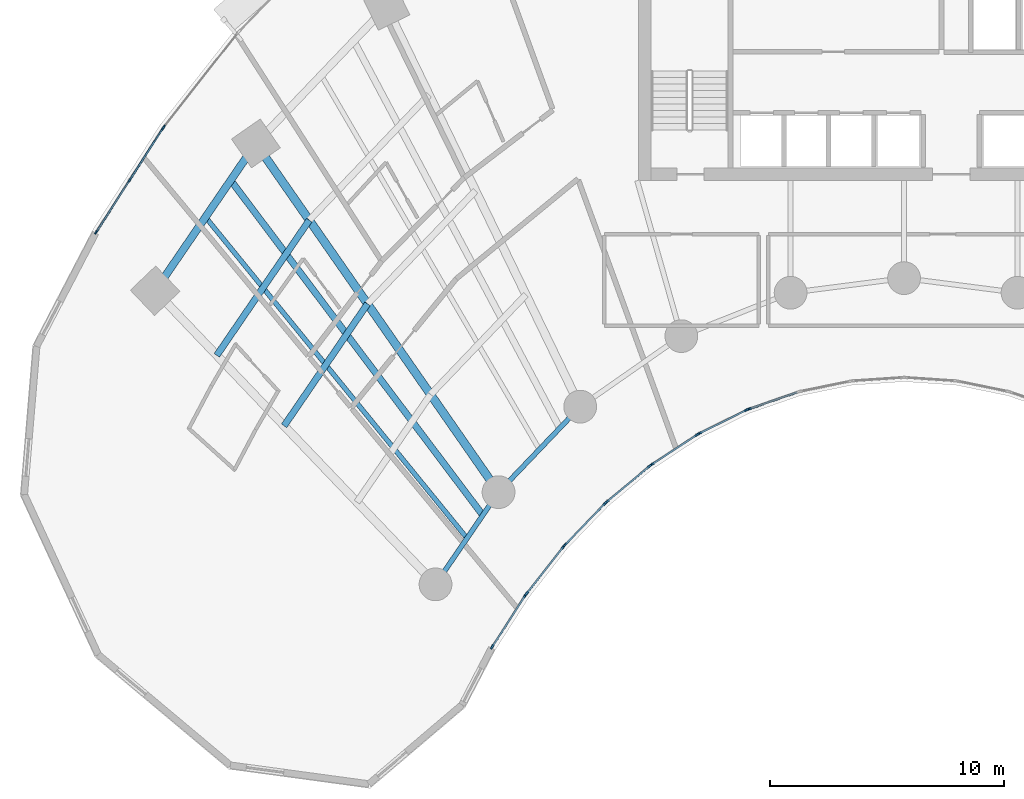
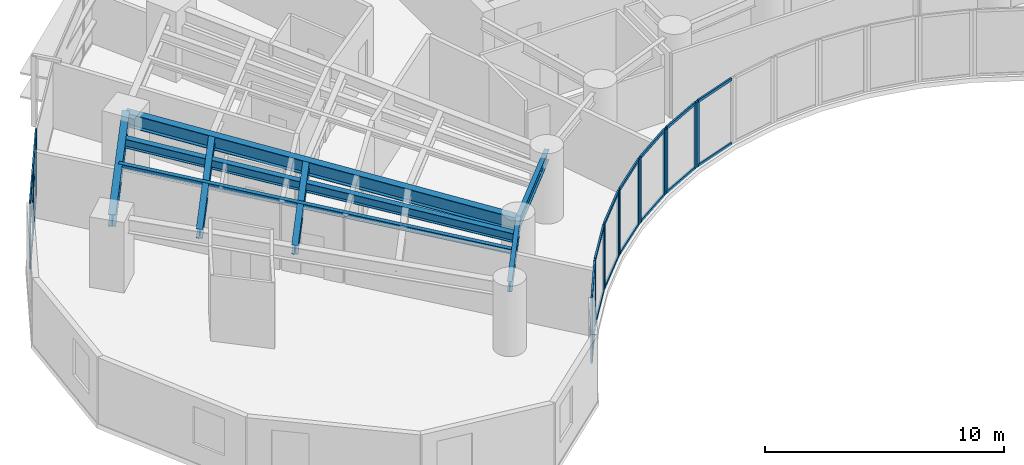
# One storey, part 2 of 17: 37 members, 8 beams, 9 elements without a shape of their own.
"""IFC4 building model written with IfcOpenShell, lengths in metres."""

from ifc_helpers import new_model, si_unit, direction, frame, origin, origin_2d, place, context, subcontext, project, spatial, rectangle, i_section, extrude, source, transform, mapped, material, layer, layer_set, material_profile, profile_set, type_object, type_shapes, element, aggregate, save


model = new_model("IFC4")

# Units and contexts
model_context = context("Model", 3, precision=1e-05, world=origin(), true_north=direction((0.0, 1.0)))
body_context = subcontext(model_context, "Body", "Model", "MODEL_VIEW")
ifc_project = project(units=[si_unit("LENGTHUNIT", "METRE"), si_unit("AREAUNIT", "SQUARE_METRE"), si_unit("VOLUMEUNIT", "CUBIC_METRE"), si_unit("PLANEANGLEUNIT", "RADIAN"), si_unit("MASSUNIT", "GRAM", prefix="KILO")], contexts=[model_context])

# Site, building, storey
site_placement = place(None, origin())
site = spatial("IfcSite", under=ifc_project, at=site_placement, CompositionType="ELEMENT")
building_placement = place(site_placement, origin())
building = spatial("IfcBuilding", under=site, at=building_placement, Name="Breltana Convention Tower", CompositionType="ELEMENT")
storey_placement = place(building_placement, frame((0.0, 0.0, 67.800048828125)))
storey = spatial("IfcBuildingStorey", under=building, at=storey_placement, Name="L15", CompositionType="ELEMENT", Elevation=67.800048828125)

# Beams
ifc_material_1 = material(Name="Steel ASTM A992 Grade 50", Category="steel")
ifc_material_profile_1 = material_profile(ifc_material_1, i_section(OverallWidth=0.323974609375, OverallDepth=0.611083984375, WebThickness=0.0126953125, FlangeThickness=0.01904296875, at=origin_2d()), Name="W24X104")
ifc_profile_set_1 = profile_set([ifc_material_profile_1], Name="Steel ASTM A992 Grade 50")
beam_type_1 = type_object("IfcBeamType", Name="BM-SP-W24X104", PredefinedType="SPANDREL", material=ifc_profile_set_1)
shared_shape_1 = source(origin(), body_context, "Body", "SweptSolid", [
    extrude(i_section(OverallWidth=0.323974609375, OverallDepth=0.611083984375, WebThickness=0.0126953125, FlangeThickness=0.01904296875, at=origin_2d()), origin(), (0.0, 0.0, 1.0), 7.625),
])
type_shapes(beam_type_1, [shared_shape_1])
beam_1_placement = place(storey_placement, frame((16.0068359375, 55.494384765625, 3.054443359375), z_axis=(0.564452031902, 0.825465870694, 0.0), x_axis=(-0.825465870694, 0.564452031902, 0.0)))
element("IfcBeam", 1, at=beam_1_placement, inside=storey, type_object=beam_type_1, Name="L15 Outer Spandrel Beam 01", PredefinedType="SPANDREL", context=body_context, shape_type="MappedRepresentation", body=[
    mapped(shared_shape_1, transform((0.0, 0.0, 0.0), scale=1.0)),
])
ifc_material_profile_2 = material_profile(ifc_material_1, i_section(OverallWidth=0.35498046875, OverallDepth=0.696044921875, WebThickness=0.015380859375, FlangeThickness=0.02490234375, at=origin_2d()), Name="W27X146")
ifc_profile_set_2 = profile_set([ifc_material_profile_2], Name="Steel ASTM A992 Grade 50")
beam_type_2 = type_object("IfcBeamType", Name="BM-RG-W27X146", PredefinedType="USERDEFINED", material=ifc_profile_set_2)
shared_shape_2 = source(origin(), body_context, "Body", "SweptSolid", [
    extrude(i_section(OverallWidth=0.35498046875, OverallDepth=0.696044921875, WebThickness=0.015380859375, FlangeThickness=0.02490234375, at=origin_2d()), origin(), (0.0, 0.0, 1.0), 18.1484375),
])
beam_2_placement = place(storey_placement, frame((30.67724609375, 46.892333984375, 3.011962890625), z_axis=(-0.571207556098, 0.820805657788, 0.0), x_axis=(-0.820805657788, -0.571207556098, 0.0)))
element("IfcBeam", 2, at=beam_2_placement, inside=storey, type_object=beam_type_2, Name="L15 Radial Floor Girder R02", ObjectType="GIRDER", PredefinedType="USERDEFINED", context=body_context, shape_type="MappedRepresentation", body=[
    mapped(shared_shape_2, transform((0.0, 0.0, 0.0), scale=1.0)),
])
ifc_material_profile_3 = material_profile(ifc_material_1, i_section(OverallWidth=0.2099609375, OverallDepth=0.537109375, WebThickness=0.010986328125, FlangeThickness=0.017333984375, at=origin_2d()), Name="W21X68")
ifc_profile_set_3 = profile_set([ifc_material_profile_3], Name="Steel ASTM A992 Grade 50")
beam_type_3 = type_object("IfcBeamType", Name="BM-BM-W21X68", PredefinedType="BEAM", material=ifc_profile_set_3)
shared_shape_3 = source(origin(), body_context, "Body", "SweptSolid", [
    extrude(i_section(OverallWidth=0.2099609375, OverallDepth=0.537109375, WebThickness=0.010986328125, FlangeThickness=0.017333984375, at=origin_2d()), origin(), (0.0, 0.0, 1.0), 4.770263671875),
])
beam_3_placement = place(storey_placement, frame((27.984619140625, 42.95458984375, 3.091552734375), z_axis=(0.564452719055, 0.82546540082, 0.0), x_axis=(-0.82546540082, 0.564452719055, 0.0)))
element("IfcBeam", 3, at=beam_3_placement, inside=storey, type_object=beam_type_3, Name="L15 Inner Ring Beam 01", PredefinedType="BEAM", context=body_context, shape_type="MappedRepresentation", body=[
    mapped(shared_shape_3, transform((0.0, 0.0, 0.0), scale=1.0)),
])
shared_shape_4 = source(origin(), body_context, "Body", "SweptSolid", [
    extrude(i_section(OverallWidth=0.2099609375, OverallDepth=0.537109375, WebThickness=0.010986328125, FlangeThickness=0.017333984375, at=origin_2d()), origin(), (0.0, 0.0, 1.0), 5.05126953125),
])
beam_4_placement = place(storey_placement, frame((30.67724609375, 46.892333984375, 3.091552734375), z_axis=(0.690729753845, 0.7231129975, 0.0), x_axis=(-0.7231129975, 0.690729753845, 0.0)))
element("IfcBeam", 4, at=beam_4_placement, inside=storey, type_object=beam_type_3, Name="L15 Inner Ring Beam 02", PredefinedType="BEAM", context=body_context, shape_type="MappedRepresentation", body=[
    mapped(shared_shape_4, transform((0.0, 0.0, 0.0), scale=1.0)),
])
ifc_material_profile_4 = material_profile(ifc_material_1, i_section(OverallWidth=0.280029296875, OverallDepth=0.462890625, WebThickness=0.0107421875, FlangeThickness=0.017333984375, at=origin_2d()), Name="W18X76")
ifc_profile_set_4 = profile_set([ifc_material_profile_4], Name="Steel ASTM A992 Grade 50")
beam_type_4 = type_object("IfcBeamType", Name="BM-JSG-06", PredefinedType="JOIST", material=ifc_profile_set_4)
shared_shape_5 = source(origin(), body_context, "Body", "SweptSolid", [
    extrude(i_section(OverallWidth=0.280029296875, OverallDepth=0.462890625, WebThickness=0.0107421875, FlangeThickness=0.017333984375, at=origin_2d()), origin(), (0.0, 0.0, 1.0), 6.311767578125),
])
beam_5_placement = place(storey_placement, frame((21.5166015625, 49.72607421875, 3.12841796875), z_axis=(0.564453712577, 0.825464721449, 0.0), x_axis=(-0.825464721449, 0.564453712577, 0.0)))
element("IfcBeam", 5, at=beam_5_placement, inside=storey, type_object=beam_type_4, Name="L15 Composite Floor Joist 01.2", PredefinedType="JOIST", context=body_context, shape_type="MappedRepresentation", body=[
    mapped(shared_shape_5, transform((0.0, 0.0, 0.0), scale=1.0)),
])
shared_shape_6 = source(origin(), body_context, "Body", "SweptSolid", [
    extrude(i_section(OverallWidth=0.280029296875, OverallDepth=0.462890625, WebThickness=0.0107421875, FlangeThickness=0.017333984375, at=origin_2d()), origin(), (0.0, 0.0, 1.0), 6.997314453125),
])
beam_6_placement = place(storey_placement, frame((18.641845703125, 52.735595703125, 3.12841796875), z_axis=(0.564468756361, 0.825454434292, 0.0), x_axis=(-0.825454434292, 0.564468756361, 0.0)))
element("IfcBeam", 6, at=beam_6_placement, inside=storey, type_object=beam_type_4, Name="L15 Composite Floor Joist 01.3", PredefinedType="JOIST", context=body_context, shape_type="MappedRepresentation", body=[
    mapped(shared_shape_6, transform((0.0, 0.0, 0.0), scale=1.0)),
])
ifc_material_profile_5 = material_profile(ifc_material_1, i_section(OverallWidth=0.201904296875, OverallDepth=0.2470703125, WebThickness=0.00732421875, FlangeThickness=0.010986328125, at=origin_2d()), Name="W10X33")
ifc_profile_set_5 = profile_set([ifc_material_profile_5], Name="Steel ASTM A992 Grade 50")
beam_type_5 = type_object("IfcBeamType", Name="BM-JSG-11", PredefinedType="JOIST", material=ifc_profile_set_5)
shared_shape_7 = source(origin(), body_context, "Body", "SweptSolid", [
    extrude(i_section(OverallWidth=0.201904296875, OverallDepth=0.2470703125, WebThickness=0.00732421875, FlangeThickness=0.010986328125, at=origin_2d()), origin(), (0.0, 0.0, 1.0), 17.691650390625),
])
type_shapes(beam_type_5, [shared_shape_7])
beam_7_placement = place(storey_placement, frame((29.330810546875, 44.923583984375, 3.236572265625), z_axis=(-0.631476958478, 0.775394642044, 0.0), x_axis=(-0.775394642044, -0.631476958478, 0.0)))
element("IfcBeam", 7, at=beam_7_placement, inside=storey, type_object=beam_type_5, Name="L15 Mid-Bay Radial Trimmer 01", PredefinedType="JOIST", context=body_context, shape_type="MappedRepresentation", body=[
    mapped(shared_shape_7, transform((0.0, 0.0, 0.0), scale=1.0)),
])
shared_shape_8 = source(origin(), body_context, "Body", "SweptSolid", [
    extrude(i_section(OverallWidth=0.280029296875, OverallDepth=0.462890625, WebThickness=0.0107421875, FlangeThickness=0.017333984375, at=origin_2d()), origin(), (0.0, 0.0, 1.0), 17.9072265625),
])
beam_8_placement = place(storey_placement, frame((30.00390625, 45.907958984375, 3.12841796875), z_axis=(-0.601382105028, 0.798961553363, 0.0), x_axis=(-0.798961553363, -0.601382105028, 0.0)))
element("IfcBeam", 8, at=beam_8_placement, inside=storey, type_object=beam_type_4, Name="L15 Quarter-Bay Radial Trimmer 01", PredefinedType="JOIST", context=body_context, shape_type="MappedRepresentation", body=[
    mapped(shared_shape_8, transform((0.0, 0.0, 0.0), scale=1.0)),
])

# Curtain wall, members
ifc_material_2 = material(Name="Aluminium Anodised Bronze Frame", Category="aluminium")
ifc_layer_1 = layer(ifc_material_2, 0.18994140625, Name="Aluminium Anodised Bronze Frame")
ifc_layer_set_1 = layer_set([ifc_layer_1], Name="Aluminium Anodised Bronze Frame")
curtain_wall_type_1 = type_object("IfcCurtainWallType", Name="CW-SYS-1", PredefinedType="NOTDEFINED", material=ifc_layer_set_1)
curtain_wall_1_placement = place(storey_placement, origin())
curtain_wall_1 = element("IfcCurtainWall", 9, at=curtain_wall_1_placement, inside=storey, type_object=curtain_wall_type_1, Name="L15 inner south-court glazing 16", PredefinedType="NOTDEFINED")
ifc_material_3 = material(Name="Aluminium Anodised Bronze", Category="aluminium")
ifc_material_profile_6 = material_profile(ifc_material_3, rectangle(XDim=0.080078125, YDim=0.139892578125, at=origin_2d()), Name="CWT-80X140")
ifc_profile_set_6 = profile_set([ifc_material_profile_6], Name="Aluminium Anodised Bronze")
member_type_1 = type_object("IfcMemberType", Name="CWT-140", PredefinedType="USERDEFINED", material=ifc_profile_set_6)
shared_shape_9 = source(origin(), body_context, "Body", "SweptSolid", [
    extrude(rectangle(XDim=0.080078125, YDim=0.139892578125, at=origin_2d()), origin(), (0.0, 0.0, 1.0), 2.38720703125),
])
type_shapes(member_type_1, [shared_shape_9])
member_1_placement = place(storey_placement, frame((35.2021484375, 46.385009765625, 0.0400390625), z_axis=(-0.694623715393, -0.719373264734, 0.0), x_axis=(0.719373264734, -0.694623715393, 0.0)))
member_1 = element("IfcMember", 10, at=member_1_placement, type_object=member_type_1, Name="CW-01 transom 1.1", ObjectType="TRANSOM", PredefinedType="USERDEFINED", context=body_context, shape_type="MappedRepresentation", body=[
    mapped(shared_shape_9, transform((0.0, 0.0, 0.0), scale=1.0)),
])
member_2_placement = place(storey_placement, frame((35.2021484375, 46.385009765625, 3.320068359375), z_axis=(-0.694623715393, -0.719373264734, 0.0), x_axis=(0.719373264734, -0.694623715393, 0.0)))
member_2 = element("IfcMember", 11, at=member_2_placement, type_object=member_type_1, Name="CW-01 transom 1.2", ObjectType="TRANSOM", PredefinedType="USERDEFINED", context=body_context, shape_type="MappedRepresentation", body=[
    mapped(shared_shape_9, transform((0.0, 0.0, 0.0), scale=1.0)),
])

curtain_wall_2_placement = place(storey_placement, origin())
curtain_wall_2 = element("IfcCurtainWall", 12, at=curtain_wall_2_placement, inside=storey, type_object=curtain_wall_type_1, Name="L15 inner south-court glazing 15", PredefinedType="NOTDEFINED")
shared_shape_10 = source(origin(), body_context, "Body", "SweptSolid", [
    extrude(rectangle(XDim=0.080078125, YDim=0.139892578125, at=origin_2d()), origin(), (0.0, 0.0, 1.0), 2.312255859375),
])
member_3_placement = place(storey_placement, frame((37.10888671875, 47.988037109375, 0.0400390625), z_axis=(-0.767900974507, -0.640568570374, 0.0), x_axis=(0.640568570374, -0.767900974507, 0.0)))
member_3 = element("IfcMember", 13, at=member_3_placement, type_object=member_type_1, Name="CW-01 transom 1.1", ObjectType="TRANSOM", PredefinedType="USERDEFINED", context=body_context, shape_type="MappedRepresentation", body=[
    mapped(shared_shape_10, transform((0.0, 0.0, 0.0), scale=1.0)),
])
member_4_placement = place(storey_placement, frame((37.10888671875, 47.988037109375, 3.320068359375), z_axis=(-0.767900974507, -0.640568570374, 0.0), x_axis=(0.640568570374, -0.767900974507, 0.0)))
member_4 = element("IfcMember", 14, at=member_4_placement, type_object=member_type_1, Name="CW-01 transom 1.2", ObjectType="TRANSOM", PredefinedType="USERDEFINED", context=body_context, shape_type="MappedRepresentation", body=[
    mapped(shared_shape_10, transform((0.0, 0.0, 0.0), scale=1.0)),
])

curtain_wall_3_placement = place(storey_placement, origin())
curtain_wall_3 = element("IfcCurtainWall", 15, at=curtain_wall_3_placement, inside=storey, type_object=curtain_wall_type_1, Name="L15 inner south-court glazing 14", PredefinedType="NOTDEFINED")
shared_shape_11 = source(origin(), body_context, "Body", "SweptSolid", [
    extrude(rectangle(XDim=0.080078125, YDim=0.139892578125, at=origin_2d()), origin(), (0.0, 0.0, 1.0), 2.2421875),
])
member_5_placement = place(storey_placement, frame((39.128173828125, 49.325927734375, 0.0400390625), z_axis=(-0.835982353773, -0.548756324957, 0.0), x_axis=(0.548756324957, -0.835982353773, 0.0)))
member_5 = element("IfcMember", 16, at=member_5_placement, type_object=member_type_1, Name="CW-01 transom 1.1", ObjectType="TRANSOM", PredefinedType="USERDEFINED", context=body_context, shape_type="MappedRepresentation", body=[
    mapped(shared_shape_11, transform((0.0, 0.0, 0.0), scale=1.0)),
])
member_6_placement = place(storey_placement, frame((39.128173828125, 49.325927734375, 3.320068359375), z_axis=(-0.835982353773, -0.548756324957, 0.0), x_axis=(0.548756324957, -0.835982353773, 0.0)))
member_6 = element("IfcMember", 17, at=member_6_placement, type_object=member_type_1, Name="CW-01 transom 1.2", ObjectType="TRANSOM", PredefinedType="USERDEFINED", context=body_context, shape_type="MappedRepresentation", body=[
    mapped(shared_shape_11, transform((0.0, 0.0, 0.0), scale=1.0)),
])

curtain_wall_4_placement = place(storey_placement, origin())
curtain_wall_4 = element("IfcCurtainWall", 18, at=curtain_wall_4_placement, inside=storey, type_object=curtain_wall_type_1, Name="L15 inner south-court glazing 13", PredefinedType="NOTDEFINED")
shared_shape_12 = source(origin(), body_context, "Body", "SweptSolid", [
    extrude(rectangle(XDim=0.080078125, YDim=0.139892578125, at=origin_2d()), origin(), (0.0, 0.0, 1.0), 2.180908203125),
])
member_7_placement = place(storey_placement, frame((41.239501953125, 50.384765625, 0.0400390625), z_axis=(-0.895922266369, -0.444210865045, 0.0), x_axis=(0.444210865045, -0.895922266369, 0.0)))
member_7 = element("IfcMember", 19, at=member_7_placement, type_object=member_type_1, Name="CW-01 transom 1.1", ObjectType="TRANSOM", PredefinedType="USERDEFINED", context=body_context, shape_type="MappedRepresentation", body=[
    mapped(shared_shape_12, transform((0.0, 0.0, 0.0), scale=1.0)),
])
member_8_placement = place(storey_placement, frame((41.239501953125, 50.384765625, 3.320068359375), z_axis=(-0.895922266369, -0.444210865045, 0.0), x_axis=(0.444210865045, -0.895922266369, 0.0)))
member_8 = element("IfcMember", 20, at=member_8_placement, type_object=member_type_1, Name="CW-01 transom 1.2", ObjectType="TRANSOM", PredefinedType="USERDEFINED", context=body_context, shape_type="MappedRepresentation", body=[
    mapped(shared_shape_12, transform((0.0, 0.0, 0.0), scale=1.0)),
])

curtain_wall_5_placement = place(storey_placement, origin())
curtain_wall_5 = element("IfcCurtainWall", 21, at=curtain_wall_5_placement, inside=storey, type_object=curtain_wall_type_1, Name="L15 inner south-court glazing 17", PredefinedType="NOTDEFINED")
shared_shape_13 = source(origin(), body_context, "Body", "SweptSolid", [
    extrude(rectangle(XDim=0.080078125, YDim=0.139892578125, at=origin_2d()), origin(), (0.0, 0.0, 1.0), 2.4638671875),
])
member_9_placement = place(storey_placement, frame((33.427001953125, 44.533447265625, 0.0400390625), z_axis=(-0.618184689608, -0.786032880695, 0.0), x_axis=(0.786032880695, -0.618184689608, 0.0)))
member_9 = element("IfcMember", 22, at=member_9_placement, type_object=member_type_1, Name="CW-01 transom 1.1", ObjectType="TRANSOM", PredefinedType="USERDEFINED", context=body_context, shape_type="MappedRepresentation", body=[
    mapped(shared_shape_13, transform((0.0, 0.0, 0.0), scale=1.0)),
])
member_10_placement = place(storey_placement, frame((33.427001953125, 44.533447265625, 3.320068359375), z_axis=(-0.618184689608, -0.786032880695, 0.0), x_axis=(0.786032880695, -0.618184689608, 0.0)))
member_10 = element("IfcMember", 23, at=member_10_placement, type_object=member_type_1, Name="CW-01 transom 1.2", ObjectType="TRANSOM", PredefinedType="USERDEFINED", context=body_context, shape_type="MappedRepresentation", body=[
    mapped(shared_shape_13, transform((0.0, 0.0, 0.0), scale=1.0)),
])

curtain_wall_6_placement = place(storey_placement, origin())
curtain_wall_6 = element("IfcCurtainWall", 24, at=curtain_wall_6_placement, inside=storey, type_object=curtain_wall_type_1, Name="L15 inner south-court glazing 18", PredefinedType="NOTDEFINED")
shared_shape_14 = source(origin(), body_context, "Body", "SweptSolid", [
    extrude(rectangle(XDim=0.080078125, YDim=0.139892578125, at=origin_2d()), origin(), (0.0, 0.0, 1.0), 2.53955078125),
])
member_11_placement = place(storey_placement, frame((31.801025390625, 42.452392578125, 0.0400390625), z_axis=(-0.540174413174, -0.841553090038, 0.0), x_axis=(0.841553090038, -0.540174413174, 0.0)))
member_11 = element("IfcMember", 25, at=member_11_placement, type_object=member_type_1, Name="CW-01 transom 1.1", ObjectType="TRANSOM", PredefinedType="USERDEFINED", context=body_context, shape_type="MappedRepresentation", body=[
    mapped(shared_shape_14, transform((0.0, 0.0, 0.0), scale=1.0)),
])
member_12_placement = place(storey_placement, frame((31.801025390625, 42.452392578125, 3.320068359375), z_axis=(-0.540174413174, -0.841553090038, 0.0), x_axis=(0.841553090038, -0.540174413174, 0.0)))
member_12 = element("IfcMember", 26, at=member_12_placement, type_object=member_type_1, Name="CW-01 transom 1.2", ObjectType="TRANSOM", PredefinedType="USERDEFINED", context=body_context, shape_type="MappedRepresentation", body=[
    mapped(shared_shape_14, transform((0.0, 0.0, 0.0), scale=1.0)),
])

curtain_wall_7_placement = place(storey_placement, origin())
curtain_wall_7 = element("IfcCurtainWall", 27, at=curtain_wall_7_placement, inside=storey, type_object=curtain_wall_type_1, Name="L15 inner south-court glazing 12", PredefinedType="NOTDEFINED")
shared_shape_15 = source(origin(), body_context, "Body", "SweptSolid", [
    extrude(rectangle(XDim=0.080078125, YDim=0.139892578125, at=origin_2d()), origin(), (0.0, 0.0, 1.0), 2.131103515625),
])
member_13_placement = place(storey_placement, frame((43.421630859375, 51.153076171875, 0.0400390625), z_axis=(-0.944847069856, -0.327511854112, 0.0), x_axis=(0.327511854112, -0.944847069856, 0.0)))
member_13 = element("IfcMember", 28, at=member_13_placement, type_object=member_type_1, Name="CW-01 transom 1.1", ObjectType="TRANSOM", PredefinedType="USERDEFINED", context=body_context, shape_type="MappedRepresentation", body=[
    mapped(shared_shape_15, transform((0.0, 0.0, 0.0), scale=1.0)),
])
member_14_placement = place(storey_placement, frame((43.421630859375, 51.153076171875, 3.320068359375), z_axis=(-0.944847069856, -0.327511854112, 0.0), x_axis=(0.327511854112, -0.944847069856, 0.0)))
member_14 = element("IfcMember", 29, at=member_14_placement, type_object=member_type_1, Name="CW-01 transom 1.2", ObjectType="TRANSOM", PredefinedType="USERDEFINED", context=body_context, shape_type="MappedRepresentation", body=[
    mapped(shared_shape_15, transform((0.0, 0.0, 0.0), scale=1.0)),
])

ifc_layer_2 = layer(ifc_material_2, 0.199951171875, Name="Aluminium Anodised Bronze Frame")
ifc_layer_set_2 = layer_set([ifc_layer_2], Name="Aluminium Anodised Bronze Frame")
curtain_wall_type_2 = type_object("IfcCurtainWallType", Name="CW-SYS-2", PredefinedType="NOTDEFINED", material=ifc_layer_set_2)
curtain_wall_8_placement = place(storey_placement, origin())
curtain_wall_8 = element("IfcCurtainWall", 30, at=curtain_wall_8_placement, inside=storey, type_object=curtain_wall_type_2, Name="L15 outer double-skin inner glazing 1", PredefinedType="NOTDEFINED")
ifc_material_profile_7 = material_profile(ifc_material_3, rectangle(XDim=0.070068359375, YDim=0.1201171875, at=origin_2d()), Name="CWT-70X120")
ifc_profile_set_7 = profile_set([ifc_material_profile_7], Name="Aluminium Anodised Bronze")
member_type_2 = type_object("IfcMemberType", Name="CWT-120", PredefinedType="USERDEFINED", material=ifc_profile_set_7)
shared_shape_16 = source(origin(), body_context, "Body", "SweptSolid", [
    extrude(rectangle(XDim=0.070068359375, YDim=0.1201171875, at=origin_2d()), origin(), (0.0, 0.0, 1.0), 2.56787109375),
])
type_shapes(member_type_2, [shared_shape_16])
member_15_placement = place(storey_placement, frame((13.505859375, 58.0234375, 0.034912109375), z_axis=(0.54022409371, 0.841521199124, 0.0), x_axis=(-0.841521199124, 0.54022409371, 0.0)))
member_15 = element("IfcMember", 31, at=member_15_placement, type_object=member_type_2, Name="CW-02 transom 1.1", ObjectType="TRANSOM", PredefinedType="USERDEFINED", context=body_context, shape_type="MappedRepresentation", body=[
    mapped(shared_shape_16, transform((0.0, 0.0, 0.0), scale=1.0)),
])
member_16_placement = place(storey_placement, frame((13.505859375, 58.0234375, 2.183837890625), z_axis=(0.54022409371, 0.841521199124, 0.0), x_axis=(-0.841521199124, 0.54022409371, 0.0)))
member_16 = element("IfcMember", 32, at=member_16_placement, type_object=member_type_2, Name="CW-02 transom 1.2", ObjectType="TRANSOM", PredefinedType="USERDEFINED", context=body_context, shape_type="MappedRepresentation", body=[
    mapped(shared_shape_16, transform((0.0, 0.0, 0.0), scale=1.0)),
])
member_17_placement = place(storey_placement, frame((13.505859375, 58.0234375, 3.324951171875), z_axis=(0.54022409371, 0.841521199124, 0.0), x_axis=(-0.841521199124, 0.54022409371, 0.0)))
member_17 = element("IfcMember", 33, at=member_17_placement, type_object=member_type_2, Name="CW-02 transom 1.3", ObjectType="TRANSOM", PredefinedType="USERDEFINED", context=body_context, shape_type="MappedRepresentation", body=[
    mapped(shared_shape_16, transform((0.0, 0.0, 0.0), scale=1.0)),
])
member_18_placement = place(storey_placement, frame((14.930908203125, 60.2431640625, 0.034912109375), z_axis=(0.540113540427, 0.841592159806, 0.0), x_axis=(-0.841592159806, 0.540113540427, 0.0)))
member_18 = element("IfcMember", 34, at=member_18_placement, type_object=member_type_2, Name="CW-02 transom 2.1", ObjectType="TRANSOM", PredefinedType="USERDEFINED", context=body_context, shape_type="MappedRepresentation", body=[
    mapped(shared_shape_16, transform((0.0, 0.0, 0.0), scale=1.0)),
])
member_19_placement = place(storey_placement, frame((14.930908203125, 60.2431640625, 2.183837890625), z_axis=(0.540113540427, 0.841592159806, 0.0), x_axis=(-0.841592159806, 0.540113540427, 0.0)))
member_19 = element("IfcMember", 35, at=member_19_placement, type_object=member_type_2, Name="CW-02 transom 2.2", ObjectType="TRANSOM", PredefinedType="USERDEFINED", context=body_context, shape_type="MappedRepresentation", body=[
    mapped(shared_shape_16, transform((0.0, 0.0, 0.0), scale=1.0)),
])
member_20_placement = place(storey_placement, frame((14.930908203125, 60.2431640625, 3.324951171875), z_axis=(0.540113540427, 0.841592159806, 0.0), x_axis=(-0.841592159806, 0.540113540427, 0.0)))
member_20 = element("IfcMember", 36, at=member_20_placement, type_object=member_type_2, Name="CW-02 transom 2.3", ObjectType="TRANSOM", PredefinedType="USERDEFINED", context=body_context, shape_type="MappedRepresentation", body=[
    mapped(shared_shape_16, transform((0.0, 0.0, 0.0), scale=1.0)),
])

# Member
ifc_material_profile_8 = material_profile(ifc_material_3, rectangle(XDim=0.080078125, YDim=0.199951171875, at=origin_2d()), Name="CWM-80X200")
ifc_profile_set_8 = profile_set([ifc_material_profile_8], Name="Aluminium Anodised Bronze")
member_type_3 = type_object("IfcMemberType", Name="CWM-200", PredefinedType="MULLION", material=ifc_profile_set_8)
shared_shape_17 = source(origin(), body_context, "Body", "SweptSolid", [
    extrude(rectangle(XDim=0.080078125, YDim=0.199951171875, at=origin_2d()), origin(), (0.0, 0.0, 1.0), 3.35986328125),
])
member_21_placement = place(storey_placement, frame((41.3701171875, 50.442138671875, 0.0), z_axis=(0.0, 0.0, 1.0), x_axis=(0.327413341714, -0.944881211406, 0.0)))
member_21 = element("IfcMember", 37, at=member_21_placement, type_object=member_type_3, Name="CW-01 mullion 2", PredefinedType="MULLION", context=body_context, shape_type="MappedRepresentation", body=[
    mapped(shared_shape_17, transform((0.0, 0.0, 0.0), scale=1.0)),
])

aggregate(curtain_wall_7, [member_21, member_13, member_14])

member_22_placement = place(storey_placement, frame((41.275390625, 50.40234375, 0.0), z_axis=(0.0, 0.0, 1.0), x_axis=(0.444117987602, -0.895968310315, 0.0)))
member_22 = element("IfcMember", 38, at=member_22_placement, type_object=member_type_3, Name="CW-01 mullion 1", PredefinedType="MULLION", context=body_context, shape_type="MappedRepresentation", body=[
    mapped(shared_shape_17, transform((0.0, 0.0, 0.0), scale=1.0)),
])

member_23_placement = place(storey_placement, frame((39.249755859375, 49.3984375, 0.0), z_axis=(0.0, 0.0, 1.0), x_axis=(0.444117987602, -0.895968310315, 0.0)))
member_23 = element("IfcMember", 39, at=member_23_placement, type_object=member_type_3, Name="CW-01 mullion 2", PredefinedType="MULLION", context=body_context, shape_type="MappedRepresentation", body=[
    mapped(shared_shape_17, transform((0.0, 0.0, 0.0), scale=1.0)),
])

aggregate(curtain_wall_4, [member_22, member_23, member_7, member_8])

member_24_placement = place(storey_placement, frame((39.16162109375, 49.347900390625, 0.0), z_axis=(0.0, 0.0, 1.0), x_axis=(0.548778278441, -0.835967942634, 0.0)))
member_24 = element("IfcMember", 40, at=member_24_placement, type_object=member_type_3, Name="CW-01 mullion 1", PredefinedType="MULLION", context=body_context, shape_type="MappedRepresentation", body=[
    mapped(shared_shape_17, transform((0.0, 0.0, 0.0), scale=1.0)),
])

member_25_placement = place(storey_placement, frame((37.220458984375, 48.073486328125, 0.0), z_axis=(0.0, 0.0, 1.0), x_axis=(0.548778278441, -0.835967942634, 0.0)))
member_25 = element("IfcMember", 41, at=member_25_placement, type_object=member_type_3, Name="CW-01 mullion 2", PredefinedType="MULLION", context=body_context, shape_type="MappedRepresentation", body=[
    mapped(shared_shape_17, transform((0.0, 0.0, 0.0), scale=1.0)),
])

aggregate(curtain_wall_3, [member_24, member_25, member_5, member_6])

member_26_placement = place(storey_placement, frame((37.1396484375, 48.013671875, 0.0), z_axis=(0.0, 0.0, 1.0), x_axis=(0.640522524458, -0.767939382804, 0.0)))
member_26 = element("IfcMember", 42, at=member_26_placement, type_object=member_type_3, Name="CW-01 mullion 1", PredefinedType="MULLION", context=body_context, shape_type="MappedRepresentation", body=[
    mapped(shared_shape_17, transform((0.0, 0.0, 0.0), scale=1.0)),
])

member_27_placement = place(storey_placement, frame((35.302734375, 46.481201171875, 0.0), z_axis=(0.0, 0.0, 1.0), x_axis=(0.640522524458, -0.767939382804, 0.0)))
member_27 = element("IfcMember", 43, at=member_27_placement, type_object=member_type_3, Name="CW-01 mullion 2", PredefinedType="MULLION", context=body_context, shape_type="MappedRepresentation", body=[
    mapped(shared_shape_17, transform((0.0, 0.0, 0.0), scale=1.0)),
])

aggregate(curtain_wall_2, [member_26, member_27, member_3, member_4])

member_28_placement = place(storey_placement, frame((35.22998046875, 46.413818359375, 0.0), z_axis=(0.0, 0.0, 1.0), x_axis=(0.719384548773, -0.694612029111, 0.0)))
member_28 = element("IfcMember", 44, at=member_28_placement, type_object=member_type_3, Name="CW-01 mullion 1", PredefinedType="MULLION", context=body_context, shape_type="MappedRepresentation", body=[
    mapped(shared_shape_17, transform((0.0, 0.0, 0.0), scale=1.0)),
])

member_29_placement = place(storey_placement, frame((33.51611328125, 44.638916015625, 0.0), z_axis=(0.0, 0.0, 1.0), x_axis=(0.719384548773, -0.694612029111, 0.0)))
member_29 = element("IfcMember", 45, at=member_29_placement, type_object=member_type_3, Name="CW-01 mullion 2", PredefinedType="MULLION", context=body_context, shape_type="MappedRepresentation", body=[
    mapped(shared_shape_17, transform((0.0, 0.0, 0.0), scale=1.0)),
])

aggregate(curtain_wall_1, [member_28, member_29, member_1, member_2])

member_30_placement = place(storey_placement, frame((33.45166015625, 44.56494140625, 0.0), z_axis=(0.0, 0.0, 1.0), x_axis=(0.786057762734, -0.61815305034, 0.0)))
member_30 = element("IfcMember", 46, at=member_30_placement, type_object=member_type_3, Name="CW-01 mullion 1", PredefinedType="MULLION", context=body_context, shape_type="MappedRepresentation", body=[
    mapped(shared_shape_17, transform((0.0, 0.0, 0.0), scale=1.0)),
])

member_31_placement = place(storey_placement, frame((31.87890625, 42.565185546875, 0.0), z_axis=(0.0, 0.0, 1.0), x_axis=(0.786057762734, -0.61815305034, 0.0)))
member_31 = element("IfcMember", 47, at=member_31_placement, type_object=member_type_3, Name="CW-01 mullion 2", PredefinedType="MULLION", context=body_context, shape_type="MappedRepresentation", body=[
    mapped(shared_shape_17, transform((0.0, 0.0, 0.0), scale=1.0)),
])

aggregate(curtain_wall_5, [member_30, member_31, member_9, member_10])

member_32_placement = place(storey_placement, frame((31.82275390625, 42.48583984375, 0.0), z_axis=(0.0, 0.0, 1.0), x_axis=(0.841556194767, -0.540169576197, 0.0)))
member_32 = element("IfcMember", 48, at=member_32_placement, type_object=member_type_3, Name="CW-01 mullion 1", PredefinedType="MULLION", context=body_context, shape_type="MappedRepresentation", body=[
    mapped(shared_shape_17, transform((0.0, 0.0, 0.0), scale=1.0)),
])

member_33_placement = place(storey_placement, frame((30.40771484375, 40.281494140625, 0.0), z_axis=(0.0, 0.0, 1.0), x_axis=(0.841556194767, -0.540169576197, 0.0)))
member_33 = element("IfcMember", 49, at=member_33_placement, type_object=member_type_3, Name="CW-01 mullion 2", PredefinedType="MULLION", context=body_context, shape_type="MappedRepresentation", body=[
    mapped(shared_shape_17, transform((0.0, 0.0, 0.0), scale=1.0)),
])

aggregate(curtain_wall_6, [member_32, member_33, member_11, member_12])

ifc_material_profile_9 = material_profile(ifc_material_3, rectangle(XDim=0.070068359375, YDim=0.175048828125, at=origin_2d()), Name="CWM-70X175")
ifc_profile_set_9 = profile_set([ifc_material_profile_9], Name="Aluminium Anodised Bronze")
member_type_4 = type_object("IfcMemberType", Name="CWM-175", PredefinedType="MULLION", material=ifc_profile_set_9)
shared_shape_18 = source(origin(), body_context, "Body", "SweptSolid", [
    extrude(rectangle(XDim=0.070068359375, YDim=0.175048828125, at=origin_2d()), origin(), (0.0, 0.0, 1.0), 3.35986328125),
])
member_34_placement = place(storey_placement, frame((13.487060546875, 57.993896484375, 0.0), z_axis=(0.0, 0.0, 1.0), x_axis=(-0.841549039154, 0.540180724109, 0.0)))
member_34 = element("IfcMember", 50, at=member_34_placement, type_object=member_type_4, Name="CW-02 mullion 1", PredefinedType="MULLION", context=body_context, shape_type="MappedRepresentation", body=[
    mapped(shared_shape_18, transform((0.0, 0.0, 0.0), scale=1.0)),
])

member_35_placement = place(storey_placement, frame((14.911865234375, 60.2138671875, 0.0), z_axis=(0.0, 0.0, 1.0), x_axis=(-0.841549039154, 0.540180724109, 0.0)))
member_35 = element("IfcMember", 51, at=member_35_placement, type_object=member_type_4, Name="CW-02 mullion 2", PredefinedType="MULLION", context=body_context, shape_type="MappedRepresentation", body=[
    mapped(shared_shape_18, transform((0.0, 0.0, 0.0), scale=1.0)),
])

member_36_placement = place(storey_placement, frame((16.3369140625, 62.43359375, 0.0), z_axis=(0.0, 0.0, 1.0), x_axis=(-0.841549039154, 0.540180724109, 0.0)))
member_36 = element("IfcMember", 52, at=member_36_placement, type_object=member_type_4, Name="CW-02 mullion 3", PredefinedType="MULLION", context=body_context, shape_type="MappedRepresentation", body=[
    mapped(shared_shape_18, transform((0.0, 0.0, 0.0), scale=1.0)),
])

aggregate(curtain_wall_8, [member_34, member_35, member_36, member_15, member_16, member_17, member_18, member_19, member_20])

# Curtain wall, member
curtain_wall_9_placement = place(storey_placement, origin())
curtain_wall_9 = element("IfcCurtainWall", 53, at=curtain_wall_9_placement, inside=storey, type_object=curtain_wall_type_2, Name="L15 outer double-skin inner glazing 2", PredefinedType="NOTDEFINED")
member_37_placement = place(storey_placement, frame((16.37744140625, 62.49072265625, 0.0), z_axis=(0.0, 0.0, 1.0), x_axis=(-0.786057080698, 0.618153917633, 0.0)))
member_37 = element("IfcMember", 54, at=member_37_placement, type_object=member_type_4, Name="CW-02 mullion 1", PredefinedType="MULLION", context=body_context, shape_type="MappedRepresentation", body=[
    mapped(shared_shape_18, transform((0.0, 0.0, 0.0), scale=1.0)),
])
aggregate(curtain_wall_9, [member_37])

save(model, "model.ifc")
